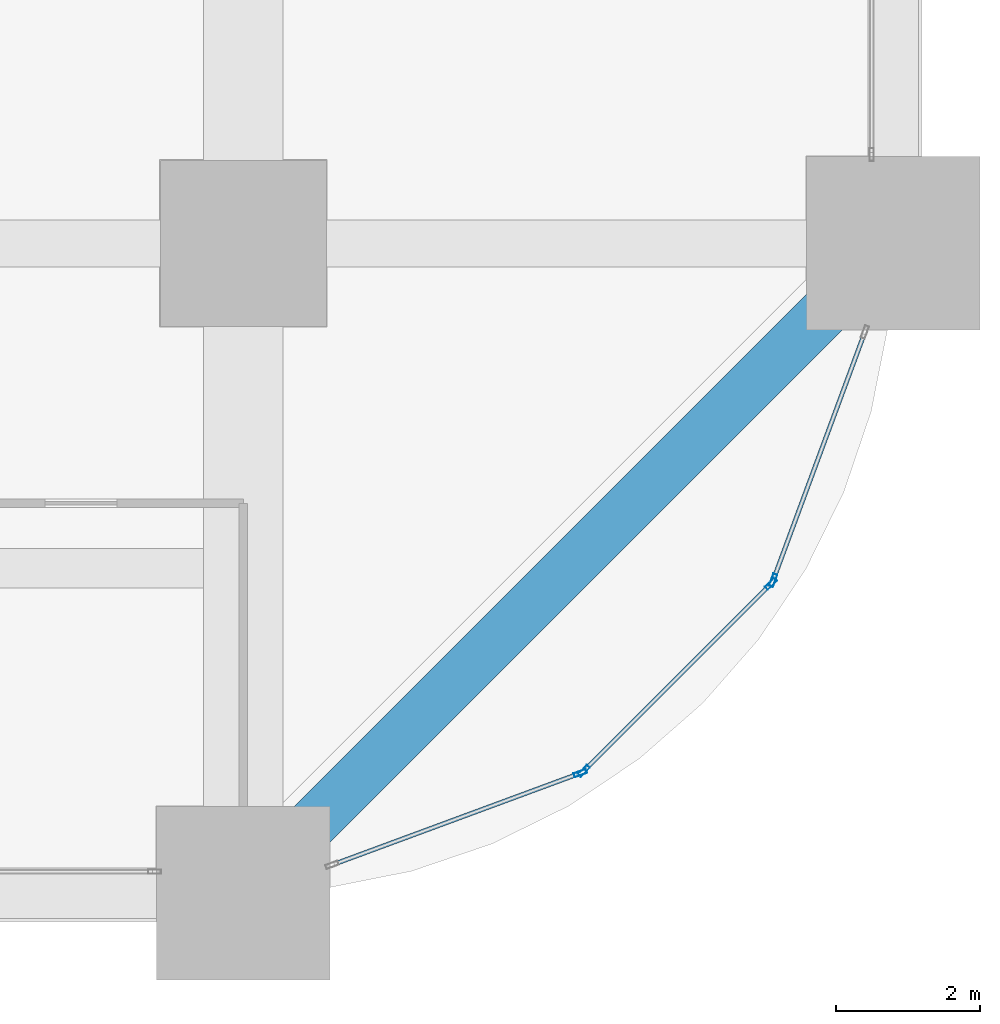
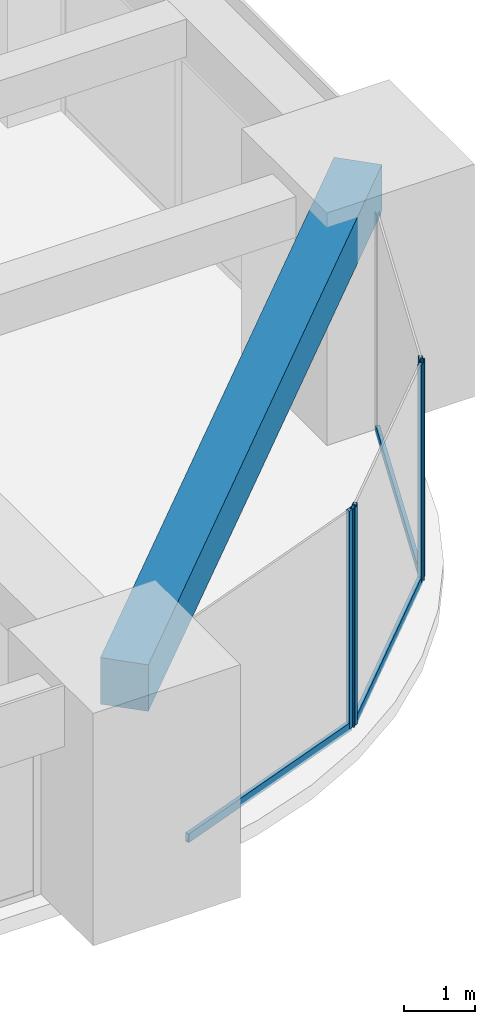
# One storey, part 16 of 44: 7 members, 1 beam, 3 elements without a shape of their own.
"""IFC4 building model written with IfcOpenShell, lengths in metres."""

from ifc_helpers import new_model, si_unit, direction, frame, origin, origin_2d, place, context, subcontext, project, spatial, rectangle, hollow_rectangle, extrude, material, material_profile, profile_set, type_object, element, aggregate, save


model = new_model("IFC4")

# Units and contexts
model_context = context("Model", 3, precision=1e-05, world=origin(), true_north=direction((0.0, 1.0)))
body_context = subcontext(model_context, "Body", "Model", "MODEL_VIEW")
ifc_project = project(units=[si_unit("LENGTHUNIT", "METRE"), si_unit("AREAUNIT", "SQUARE_METRE"), si_unit("VOLUMEUNIT", "CUBIC_METRE"), si_unit("PLANEANGLEUNIT", "RADIAN"), si_unit("MASSUNIT", "GRAM", prefix="KILO")], contexts=[model_context])

# Site, building, storey
site_placement = place(None, origin())
site = spatial("IfcSite", under=ifc_project, at=site_placement, CompositionType="ELEMENT")
building_placement = place(site_placement, origin())
building = spatial("IfcBuilding", under=site, at=building_placement, Name="Zorevar Civic Tower", CompositionType="ELEMENT")
storey_placement = place(building_placement, frame((0.0, 0.0, 43.800048828125)))
storey = spatial("IfcBuildingStorey", under=building, at=storey_placement, Name="L10", CompositionType="ELEMENT", Elevation=43.800048828125)

# Curtain wall, member
ifc_material_1 = material(Name="Dark grey solar-control glass in black aluminium frame", Category="aluminium")
curtain_wall_type = type_object("IfcCurtainWallType", Name="Curtain wall CW2 low zone", PredefinedType="NOTDEFINED", material=ifc_material_1)
curtain_wall_1_placement = place(storey_placement, origin())
curtain_wall_1 = element("IfcCurtainWall", 1, at=curtain_wall_1_placement, inside=storey, type_object=curtain_wall_type, Name="CW2 L10", PredefinedType="NOTDEFINED")
ifc_material_2 = material(Name="Aluminium, black anodised", Category="aluminium")
ifc_material_profile_1 = material_profile(ifc_material_2, hollow_rectangle(XDim=0.06005859375, YDim=0.179931640625, WallThickness=0.00390625, at=origin_2d()), Name="AL 180x60x4")
ifc_profile_set_1 = profile_set([ifc_material_profile_1], Name="Aluminium, black anodised")
member_type_1 = type_object("IfcMemberType", Name="CW2 mullion AL 180x60x4", PredefinedType="MULLION", material=ifc_profile_set_1)
member_1_placement = place(storey_placement, frame((58.66455078125, 1.663818359375, 0.0), z_axis=(0.0, 0.0, 1.0), x_axis=(-0.346704012033, 0.937974588163, 0.0)))
member_1 = element("IfcMember", 2, at=member_1_placement, type_object=member_type_1, Name="CW2 mullion 2", PredefinedType="MULLION", context=body_context, shape_type="SweptSolid", body=[
    extrude(hollow_rectangle(XDim=0.06005859375, YDim=0.179931640625, WallThickness=0.00390625, at=origin_2d()), origin(), (0.0, 0.0, 1.0), 3.75),
])

# Curtain wall, members
curtain_wall_2_placement = place(storey_placement, origin())
curtain_wall_2 = element("IfcCurtainWall", 3, at=curtain_wall_2_placement, inside=storey, type_object=curtain_wall_type, Name="CW2 L10", PredefinedType="NOTDEFINED")
member_2_placement = place(storey_placement, frame((58.7138671875, 1.6953125, 0.0), z_axis=(0.0, 0.0, 1.0), x_axis=(-0.707106781187, 0.707106781187, 0.0)))
member_2 = element("IfcMember", 4, at=member_2_placement, type_object=member_type_1, Name="CW2 mullion 1", PredefinedType="MULLION", context=body_context, shape_type="SweptSolid", body=[
    extrude(hollow_rectangle(XDim=0.06005859375, YDim=0.179931640625, WallThickness=0.00390625, at=origin_2d()), origin(), (0.0, 0.0, 1.0), 3.75),
])
member_3_placement = place(storey_placement, frame((61.3046875, 4.2861328125, 0.0), z_axis=(0.0, 0.0, 1.0), x_axis=(-0.707106781187, 0.707106781187, 0.0)))
member_3 = element("IfcMember", 5, at=member_3_placement, type_object=member_type_1, Name="CW2 mullion 2", PredefinedType="MULLION", context=body_context, shape_type="SweptSolid", body=[
    extrude(hollow_rectangle(XDim=0.06005859375, YDim=0.179931640625, WallThickness=0.00390625, at=origin_2d()), origin(), (0.0, 0.0, 1.0), 3.75),
])

# Curtain wall, member
curtain_wall_3_placement = place(storey_placement, origin())
curtain_wall_3 = element("IfcCurtainWall", 6, at=curtain_wall_3_placement, inside=storey, type_object=curtain_wall_type, Name="CW2 L10", PredefinedType="NOTDEFINED")
member_4_placement = place(storey_placement, frame((61.336181640625, 4.33544921875, 0.0), z_axis=(0.0, 0.0, 1.0), x_axis=(-0.937974588163, 0.346704012033, 0.0)))
member_4 = element("IfcMember", 7, at=member_4_placement, type_object=member_type_1, Name="CW2 mullion 1", PredefinedType="MULLION", context=body_context, shape_type="SweptSolid", body=[
    extrude(hollow_rectangle(XDim=0.06005859375, YDim=0.179931640625, WallThickness=0.00390625, at=origin_2d()), origin(), (0.0, 0.0, 1.0), 3.75),
])

# Member
ifc_material_3 = material(Name="Aluminium, black anodised", Category="aluminium")
ifc_material_profile_2 = material_profile(ifc_material_3, hollow_rectangle(XDim=0.06005859375, YDim=0.14990234375, WallThickness=0.00390625, at=origin_2d()), Name="AL 150x60x4")
ifc_profile_set_2 = profile_set([ifc_material_profile_2], Name="Aluminium, black anodised")
member_type_2 = type_object("IfcMemberType", Name="CW2 transom AL 150x60x4", PredefinedType="USERDEFINED", material=ifc_profile_set_2)
member_5_placement = place(storey_placement, frame((55.25634765625, 0.404052734375, 0.030029296875), z_axis=(0.93798635741, 0.346672169799, 0.0), x_axis=(-0.346672169799, 0.93798635741, 0.0)))
member_5 = element("IfcMember", 8, at=member_5_placement, type_object=member_type_2, Name="CW2 sill transom", ObjectType="TRANSOM", PredefinedType="USERDEFINED", context=body_context, shape_type="SweptSolid", body=[
    extrude(hollow_rectangle(XDim=0.06005859375, YDim=0.14990234375, WallThickness=0.00390625, at=origin_2d()), origin(), (0.0, 0.0, 1.0), 3.603515625),
])

aggregate(curtain_wall_1, [member_1, member_5])

member_6_placement = place(storey_placement, frame((58.735107421875, 1.716552734375, 0.030029296875), z_axis=(0.707106781187, 0.707106781187, 0.0), x_axis=(-0.707106781187, 0.707106781187, 0.0)))
member_6 = element("IfcMember", 9, at=member_6_placement, type_object=member_type_2, Name="CW2 sill transom", ObjectType="TRANSOM", PredefinedType="USERDEFINED", context=body_context, shape_type="SweptSolid", body=[
    extrude(hollow_rectangle(XDim=0.06005859375, YDim=0.14990234375, WallThickness=0.00390625, at=origin_2d()), origin(), (0.0, 0.0, 1.0), 3.60400390625),
])

aggregate(curtain_wall_2, [member_2, member_3, member_6])

member_7_placement = place(storey_placement, frame((61.3466796875, 4.363525390625, 0.030029296875), z_axis=(0.346672169799, 0.93798635741, 0.0), x_axis=(-0.93798635741, 0.346672169799, 0.0)))
member_7 = element("IfcMember", 10, at=member_7_placement, type_object=member_type_2, Name="CW2 sill transom", ObjectType="TRANSOM", PredefinedType="USERDEFINED", context=body_context, shape_type="SweptSolid", body=[
    extrude(hollow_rectangle(XDim=0.06005859375, YDim=0.14990234375, WallThickness=0.00390625, at=origin_2d()), origin(), (0.0, 0.0, 1.0), 3.603515625),
])

aggregate(curtain_wall_3, [member_4, member_7])

# Beam
ifc_material_4 = material(Name="Concrete C50/60", Category="concrete")
ifc_material_profile_3 = material_profile(ifc_material_4, rectangle(XDim=0.699951171875, YDim=0.800048828125, at=origin_2d()), Name="RC 700x800")
ifc_profile_set_3 = profile_set([ifc_material_profile_3], Name="Concrete C50/60")
beam_type = type_object("IfcBeamType", Name="Edge beam RC 700x800", PredefinedType="SPANDREL", material=ifc_profile_set_3)
beam_placement = place(storey_placement, frame((54.0, 0.0, 3.349853515625), z_axis=(0.707106781187, 0.707106781187, 0.0), x_axis=(-0.707106781187, 0.707106781187, 0.0)))
element("IfcBeam", 11, at=beam_placement, inside=storey, type_object=beam_type, Name="Corner edge beam L11", PredefinedType="SPANDREL", context=body_context, shape_type="SweptSolid", body=[
    extrude(rectangle(XDim=0.699951171875, YDim=0.800048828125, at=origin_2d()), origin(), (0.0, 0.0, 1.0), 12.72802734375),
])

save(model, "model.ifc")
